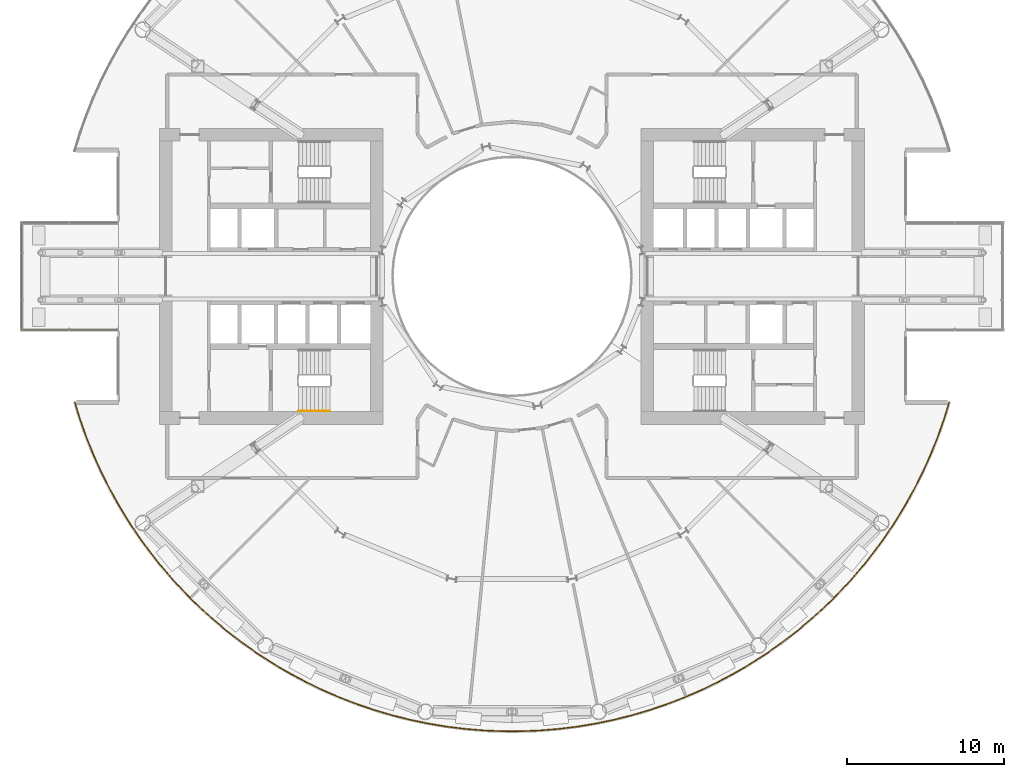
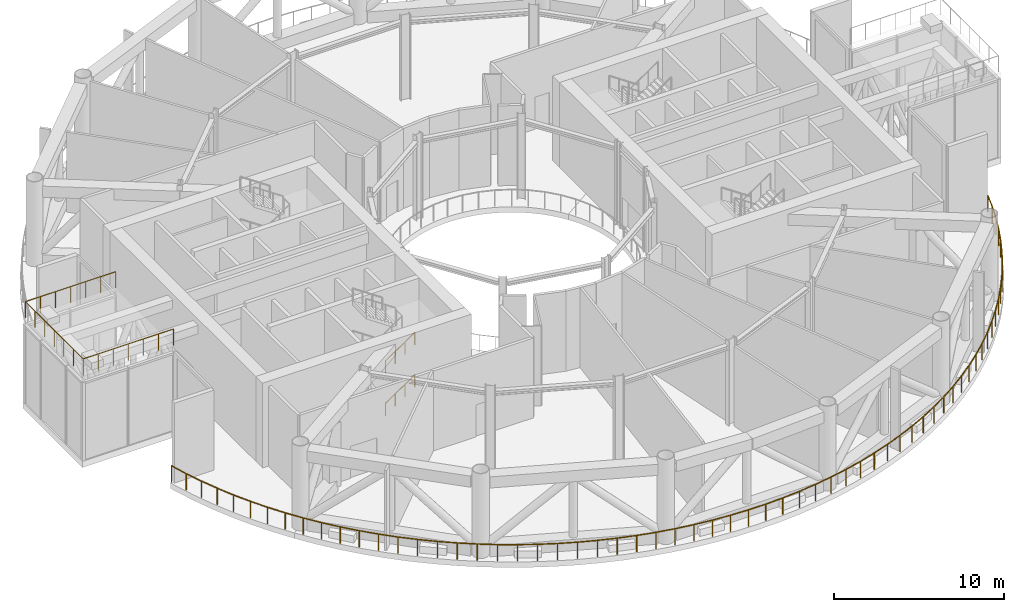
# One storey, part 18 of 22: 4 railings.
"""IFC4 building model written with IfcOpenShell, lengths in metres."""

from ifc_helpers import new_model, si_unit, direction, frame, origin, origin_2d, place, context, subcontext, project, spatial, circle, extrude, material, type_object, element, save


model = new_model("IFC4")

# Units and contexts
model_context = context("Model", 3, precision=1e-05, world=origin(), true_north=direction((0.0, 1.0)))
body_context = subcontext(model_context, "Body", "Model", "MODEL_VIEW")
ifc_project = project(units=[si_unit("LENGTHUNIT", "METRE"), si_unit("AREAUNIT", "SQUARE_METRE"), si_unit("VOLUMEUNIT", "CUBIC_METRE"), si_unit("PLANEANGLEUNIT", "RADIAN"), si_unit("MASSUNIT", "GRAM", prefix="KILO")], contexts=[model_context])

# Site, building, storey
site_placement = place(None, origin())
site = spatial("IfcSite", under=ifc_project, at=site_placement, CompositionType="ELEMENT")
building_placement = place(site_placement, origin())
building = spatial("IfcBuilding", under=site, at=building_placement, Name="Maasbend Ring Residences", CompositionType="ELEMENT")
storey_placement = place(building_placement, frame((0.0, 0.0, 57.5)))
storey = spatial("IfcBuildingStorey", under=building, at=storey_placement, Name="L16", CompositionType="ELEMENT", Elevation=57.5)

# Railings
ifc_material_1 = material(Name="Stainless steel 316 and glass", Category="steel")
railing_type_1 = type_object("IfcRailingType", Name="RL-GUARD", PredefinedType="GUARDRAIL", material=ifc_material_1)
railing_1_placement = place(storey_placement, frame((-27.778564453125, -7.972412109375, 0.0)))
element("IfcRailing", 1, at=railing_1_placement, inside=storey, type_object=railing_type_1, Name="Garden guard outer 2", PredefinedType="GUARDRAIL", context=body_context, shape_type="SweptSolid", body=[
    extrude(circle(Radius=0.02490234375, at=origin_2d()), frame((0.0, 0.0, 1.1748046875), z_axis=(0.295504624123, -0.95534130923, 0.0), x_axis=(0.95534130923, 0.295504624123, 0.0)), (0.0, 0.0, 1.0), 1.184814453125),
    extrude(circle(Radius=0.02490234375, at=origin_2d()), frame((0.35009765625, -1.1318359375, 1.1748046875), z_axis=(0.334285842511, -0.94247173724, 0.0), x_axis=(0.94247173724, 0.334285842511, 0.0)), (0.0, 0.0, 1.0), 1.1845703125),
    extrude(circle(Radius=0.02490234375, at=origin_2d()), frame((0.74609375, -2.248291015625, 1.1748046875), z_axis=(0.372847180885, -0.927892763042, 0.0), x_axis=(0.927892763042, 0.372847180885, 0.0)), (0.0, 0.0, 1.0), 1.1845703125),
    extrude(circle(Radius=0.02490234375, at=origin_2d()), frame((1.187744140625, -3.347412109375, 1.1748046875), z_axis=(0.410493199792, -0.911863659175, 0.0), x_axis=(0.911863659175, 0.410493199792, 0.0)), (0.0, 0.0, 1.0), 1.184814453125),
    extrude(circle(Radius=0.02490234375, at=origin_2d()), frame((1.674072265625, -4.427734375, 1.1748046875), z_axis=(0.447460908245, -0.894303491882, 0.0), x_axis=(0.894303491882, 0.447460908245, 0.0)), (0.0, 0.0, 1.0), 1.1845703125),
    extrude(circle(Radius=0.02490234375, at=origin_2d()), frame((2.2041015625, -5.487060546875, 1.1748046875), z_axis=(0.483839805506, -0.875156581766, 0.0), x_axis=(0.875156581766, 0.483839805506, 0.0)), (0.0, 0.0, 1.0), 1.184814453125),
    extrude(circle(Radius=0.02490234375, at=origin_2d()), frame((2.77734375, -6.52392578125, 1.1748046875), z_axis=(0.51915559987, -0.854679743017, 0.0), x_axis=(0.854679743017, 0.51915559987, 0.0)), (0.0, 0.0, 1.0), 1.1845703125),
    extrude(circle(Radius=0.02490234375, at=origin_2d()), frame((3.392333984375, -7.536376953125, 1.1748046875), z_axis=(0.553796190877, -0.832652255729, 0.0), x_axis=(0.832652255729, 0.553796190877, 0.0)), (0.0, 0.0, 1.0), 1.1845703125),
    extrude(circle(Radius=0.02490234375, at=origin_2d()), frame((4.04833984375, -8.522705078125, 1.1748046875), z_axis=(0.58749759803, -0.809225909317, 0.0), x_axis=(0.809225909317, 0.58749759803, 0.0)), (0.0, 0.0, 1.0), 1.184814453125),
    extrude(circle(Radius=0.02490234375, at=origin_2d()), frame((4.744384765625, -9.4814453125, 1.1748046875), z_axis=(0.620185444157, -0.78445523445, 0.0), x_axis=(0.78445523445, 0.620185444157, 0.0)), (0.0, 0.0, 1.0), 1.1845703125),
    extrude(circle(Radius=0.02490234375, at=origin_2d()), frame((5.47900390625, -10.41064453125, 1.1748046875), z_axis=(0.65182600946, -0.758368547206, 0.0), x_axis=(0.758368547206, 0.65182600946, 0.0)), (0.0, 0.0, 1.0), 1.184814453125),
    extrude(circle(Radius=0.02490234375, at=origin_2d()), frame((6.251220703125, -11.30908203125, 1.1748046875), z_axis=(0.682156690758, -0.731206023809, 0.0), x_axis=(0.731206023809, 0.682156690758, 0.0)), (0.0, 0.0, 1.0), 1.1845703125),
    extrude(circle(Radius=0.02490234375, at=origin_2d()), frame((7.059326171875, -12.17529296875, 1.1748046875), z_axis=(0.711830937603, -0.702350849841, 0.0), x_axis=(0.702350849841, 0.711830937603, 0.0)), (0.0, 0.0, 1.0), 1.1845703125),
    extrude(circle(Radius=0.02490234375, at=origin_2d()), frame((7.902587890625, -13.00732421875, 1.1748046875), z_axis=(0.739800189204, -0.672826634471, 0.0), x_axis=(0.672826634471, 0.739800189204, 0.0)), (0.0, 0.0, 1.0), 1.184814453125),
    extrude(circle(Radius=0.02490234375, at=origin_2d()), frame((8.779052734375, -13.804443359375, 1.1748046875), z_axis=(0.766885051085, -0.641784479731, 0.0), x_axis=(0.641784479731, 0.766885051085, 0.0)), (0.0, 0.0, 1.0), 1.1845703125),
    extrude(circle(Radius=0.02490234375, at=origin_2d()), frame((9.6875, -14.564697265625, 1.1748046875), z_axis=(0.792493715501, -0.609880079107, 0.0), x_axis=(0.609880079107, 0.792493715501, 0.0)), (0.0, 0.0, 1.0), 1.1845703125),
    extrude(circle(Radius=0.02490234375, at=origin_2d()), frame((10.626220703125, -15.287109375, 1.1748046875), z_axis=(0.816785089041, -0.576942040695, 0.0), x_axis=(0.576942040695, 0.816785089041, 0.0)), (0.0, 0.0, 1.0), 1.184814453125),
    extrude(circle(Radius=0.02490234375, at=origin_2d()), frame((11.593994140625, -15.970703125, 1.1748046875), z_axis=(0.839829939632, -0.542849585519, 0.0), x_axis=(0.542849585519, 0.839829939632, 0.0)), (0.0, 0.0, 1.0), 1.1845703125),
    extrude(circle(Radius=0.02490234375, at=origin_2d()), frame((12.5888671875, -16.61376953125, 1.1748046875), z_axis=(0.861324276781, -0.508055597575, 0.0), x_axis=(0.508055597575, 0.861324276781, 0.0)), (0.0, 0.0, 1.0), 1.1845703125),
    extrude(circle(Radius=0.02490234375, at=origin_2d()), frame((13.609130859375, -17.215576171875, 1.1748046875), z_axis=(0.881415624836, -0.472341503887, 0.0), x_axis=(0.472341503887, 0.881415624836, 0.0)), (0.0, 0.0, 1.0), 1.1845703125),
    extrude(circle(Radius=0.02490234375, at=origin_2d()), frame((14.6533203125, -17.775146484375, 1.1748046875), z_axis=(0.900002799964, -0.435884113104, 0.0), x_axis=(0.435884113104, 0.900002799964, 0.0)), (0.0, 0.0, 1.0), 1.1845703125),
    extrude(circle(Radius=0.02490234375, at=origin_2d()), frame((15.719482421875, -18.29150390625, 1.1748046875), z_axis=(0.917129024526, -0.398590456951, 0.0), x_axis=(0.398590456951, 0.917129024526, 0.0)), (0.0, 0.0, 1.0), 1.1845703125),
    extrude(circle(Radius=0.02490234375, at=origin_2d()), frame((16.805908203125, -18.763671875, 1.1748046875), z_axis=(0.932706782024, -0.360635631582, 0.0), x_axis=(0.360635631582, 0.932706782024, 0.0)), (0.0, 0.0, 1.0), 1.184814453125),
    extrude(circle(Radius=0.02490234375, at=origin_2d()), frame((17.910888671875, -19.19091796875, 1.1748046875), z_axis=(0.946770232419, -0.321910122559, 0.0), x_axis=(0.321910122559, 0.946770232419, 0.0)), (0.0, 0.0, 1.0), 1.1845703125),
    extrude(circle(Radius=0.02490234375, at=origin_2d()), frame((19.032470703125, -19.572265625, 1.1748046875), z_axis=(0.959076230705, -0.283147989039, 0.0), x_axis=(0.283147989039, 0.959076230705, 0.0)), (0.0, 0.0, 1.0), 1.184814453125),
    extrude(circle(Radius=0.02490234375, at=origin_2d()), frame((20.168701171875, -19.90771484375, 1.1748046875), z_axis=(0.969923880017, -0.243408436528, 0.0), x_axis=(0.243408436528, 0.969923880017, 0.0)), (0.0, 0.0, 1.0), 1.1845703125),
    extrude(circle(Radius=0.02490234375, at=origin_2d()), frame((21.317626953125, -20.196044921875, 1.1748046875), z_axis=(0.979054075839, -0.203600384536, 0.0), x_axis=(0.203600384536, 0.979054075839, 0.0)), (0.0, 0.0, 1.0), 1.184814453125),
    extrude(circle(Radius=0.02490234375, at=origin_2d()), frame((22.4775390625, -20.437255859375, 1.1748046875), z_axis=(0.986588187234, -0.163229129787, 0.0), x_axis=(0.163229129787, 0.986588187234, 0.0)), (0.0, 0.0, 1.0), 1.1845703125),
    extrude(circle(Radius=0.02490234375, at=origin_2d()), frame((23.646240234375, -20.630615234375, 1.1748046875), z_axis=(0.992454401235, -0.122614279222, 0.0), x_axis=(0.122614279222, 0.992454401235, 0.0)), (0.0, 0.0, 1.0), 1.184814453125),
    extrude(circle(Radius=0.02490234375, at=origin_2d()), frame((24.822021484375, -20.77587890625, 1.1748046875), z_axis=(0.996630509683, -0.082022113907, 0.0), x_axis=(0.082022113907, 0.996630509683, 0.0)), (0.0, 0.0, 1.0), 1.1845703125),
    extrude(circle(Radius=0.02490234375, at=origin_2d()), frame((26.002685546875, -20.873046875, 1.1748046875), z_axis=(0.999158599932, -0.041013317118, 0.0), x_axis=(0.041013317118, 0.999158599932, 0.0)), (0.0, 0.0, 1.0), 1.1845703125),
    extrude(circle(Radius=0.02490234375, at=origin_2d()), frame((27.186279296875, -20.921630859375, 1.1748046875), z_axis=(1.0, 0.0, 0.0), x_axis=(0.0, 1.0, 0.0)), (0.0, 0.0, 1.0), 1.1845703125),
    extrude(circle(Radius=0.02490234375, at=origin_2d()), frame((28.370849609375, -20.921630859375, 1.1748046875), z_axis=(0.999158599932, 0.041013317118, 0.0), x_axis=(-0.041013317118, 0.999158599932, 0.0)), (0.0, 0.0, 1.0), 1.1845703125),
    extrude(circle(Radius=0.02490234375, at=origin_2d()), frame((29.554443359375, -20.873046875, 1.1748046875), z_axis=(0.996630509683, 0.082022113907, 0.0), x_axis=(-0.082022113907, 0.996630509683, 0.0)), (0.0, 0.0, 1.0), 1.1845703125),
    extrude(circle(Radius=0.02490234375, at=origin_2d()), frame((30.735107421875, -20.77587890625, 1.1748046875), z_axis=(0.992454401235, 0.122614279222, 0.0), x_axis=(-0.122614279222, 0.992454401235, 0.0)), (0.0, 0.0, 1.0), 1.184814453125),
    extrude(circle(Radius=0.02490234375, at=origin_2d()), frame((31.910888671875, -20.630615234375, 1.1748046875), z_axis=(0.986588187234, 0.163229129787, 0.0), x_axis=(-0.163229129787, 0.986588187234, 0.0)), (0.0, 0.0, 1.0), 1.1845703125),
    extrude(circle(Radius=0.02490234375, at=origin_2d()), frame((33.07958984375, -20.437255859375, 1.1748046875), z_axis=(0.979054075839, 0.203600384536, 0.0), x_axis=(-0.203600384536, 0.979054075839, 0.0)), (0.0, 0.0, 1.0), 1.184814453125),
    extrude(circle(Radius=0.02490234375, at=origin_2d()), frame((34.239501953125, -20.196044921875, 1.1748046875), z_axis=(0.969923880017, 0.243408436528, 0.0), x_axis=(-0.243408436528, 0.969923880017, 0.0)), (0.0, 0.0, 1.0), 1.1845703125),
    extrude(circle(Radius=0.02490234375, at=origin_2d()), frame((35.388427734375, -19.90771484375, 1.1748046875), z_axis=(0.959076230705, 0.283147989039, 0.0), x_axis=(-0.283147989039, 0.959076230705, 0.0)), (0.0, 0.0, 1.0), 1.184814453125),
    extrude(circle(Radius=0.02490234375, at=origin_2d()), frame((36.524658203125, -19.572265625, 1.1748046875), z_axis=(0.946770232419, 0.321910122559, 0.0), x_axis=(-0.321910122559, 0.946770232419, 0.0)), (0.0, 0.0, 1.0), 1.1845703125),
    extrude(circle(Radius=0.02490234375, at=origin_2d()), frame((37.646240234375, -19.19091796875, 1.1748046875), z_axis=(0.932706782024, 0.360635631582, 0.0), x_axis=(-0.360635631582, 0.932706782024, 0.0)), (0.0, 0.0, 1.0), 1.184814453125),
    extrude(circle(Radius=0.02490234375, at=origin_2d()), frame((38.751220703125, -18.763671875, 1.1748046875), z_axis=(0.917129024526, 0.398590456951, 0.0), x_axis=(-0.398590456951, 0.917129024526, 0.0)), (0.0, 0.0, 1.0), 1.1845703125),
    extrude(circle(Radius=0.02490234375, at=origin_2d()), frame((39.837646484375, -18.29150390625, 1.1748046875), z_axis=(0.900002799964, 0.435884113104, 0.0), x_axis=(-0.435884113104, 0.900002799964, 0.0)), (0.0, 0.0, 1.0), 1.1845703125),
    extrude(circle(Radius=0.02490234375, at=origin_2d()), frame((40.90380859375, -17.775146484375, 1.1748046875), z_axis=(0.881415624836, 0.472341503887, 0.0), x_axis=(-0.472341503887, 0.881415624836, 0.0)), (0.0, 0.0, 1.0), 1.1845703125),
    extrude(circle(Radius=0.02490234375, at=origin_2d()), frame((41.947998046875, -17.215576171875, 1.1748046875), z_axis=(0.861324276781, 0.508055597575, 0.0), x_axis=(-0.508055597575, 0.861324276781, 0.0)), (0.0, 0.0, 1.0), 1.1845703125),
    extrude(circle(Radius=0.02490234375, at=origin_2d()), frame((42.96826171875, -16.61376953125, 1.1748046875), z_axis=(0.839829939632, 0.542849585519, 0.0), x_axis=(-0.542849585519, 0.839829939632, 0.0)), (0.0, 0.0, 1.0), 1.1845703125),
    extrude(circle(Radius=0.02490234375, at=origin_2d()), frame((43.963134765625, -15.970703125, 1.1748046875), z_axis=(0.816785089041, 0.576942040695, 0.0), x_axis=(-0.576942040695, 0.816785089041, 0.0)), (0.0, 0.0, 1.0), 1.184814453125),
    extrude(circle(Radius=0.02490234375, at=origin_2d()), frame((44.930908203125, -15.287109375, 1.1748046875), z_axis=(0.792493715501, 0.609880079107, 0.0), x_axis=(-0.609880079107, 0.792493715501, 0.0)), (0.0, 0.0, 1.0), 1.1845703125),
    extrude(circle(Radius=0.02490234375, at=origin_2d()), frame((45.86962890625, -14.564697265625, 1.1748046875), z_axis=(0.766885051085, 0.641784479731, 0.0), x_axis=(-0.641784479731, 0.766885051085, 0.0)), (0.0, 0.0, 1.0), 1.1845703125),
    extrude(circle(Radius=0.02490234375, at=origin_2d()), frame((46.778076171875, -13.804443359375, 1.1748046875), z_axis=(0.739800189204, 0.672826634471, 0.0), x_axis=(-0.672826634471, 0.739800189204, 0.0)), (0.0, 0.0, 1.0), 1.184814453125),
    extrude(circle(Radius=0.02490234375, at=origin_2d()), frame((47.654541015625, -13.00732421875, 1.1748046875), z_axis=(0.711830937603, 0.702350849841, 0.0), x_axis=(-0.702350849841, 0.711830937603, 0.0)), (0.0, 0.0, 1.0), 1.1845703125),
    extrude(circle(Radius=0.02490234375, at=origin_2d()), frame((48.497802734375, -12.17529296875, 1.1748046875), z_axis=(0.682156690758, 0.731206023809, 0.0), x_axis=(-0.731206023809, 0.682156690758, 0.0)), (0.0, 0.0, 1.0), 1.1845703125),
    extrude(circle(Radius=0.02490234375, at=origin_2d()), frame((49.305908203125, -11.30908203125, 1.1748046875), z_axis=(0.65182600946, 0.758368547206, 0.0), x_axis=(-0.758368547206, 0.65182600946, 0.0)), (0.0, 0.0, 1.0), 1.184814453125),
    extrude(circle(Radius=0.02490234375, at=origin_2d()), frame((50.078125, -10.41064453125, 1.1748046875), z_axis=(0.620185444157, 0.78445523445, 0.0), x_axis=(-0.78445523445, 0.620185444157, 0.0)), (0.0, 0.0, 1.0), 1.1845703125),
    extrude(circle(Radius=0.02490234375, at=origin_2d()), frame((50.812744140625, -9.4814453125, 1.1748046875), z_axis=(0.58749759803, 0.809225909317, 0.0), x_axis=(-0.809225909317, 0.58749759803, 0.0)), (0.0, 0.0, 1.0), 1.184814453125),
    extrude(circle(Radius=0.02490234375, at=origin_2d()), frame((51.5087890625, -8.522705078125, 1.1748046875), z_axis=(0.553796190877, 0.832652255729, 0.0), x_axis=(-0.832652255729, 0.553796190877, 0.0)), (0.0, 0.0, 1.0), 1.1845703125),
    extrude(circle(Radius=0.02490234375, at=origin_2d()), frame((52.164794921875, -7.536376953125, 1.1748046875), z_axis=(0.51915559987, 0.854679743017, 0.0), x_axis=(-0.854679743017, 0.51915559987, 0.0)), (0.0, 0.0, 1.0), 1.1845703125),
    extrude(circle(Radius=0.02490234375, at=origin_2d()), frame((52.77978515625, -6.52392578125, 1.1748046875), z_axis=(0.483839805506, 0.875156581766, 0.0), x_axis=(-0.875156581766, 0.483839805506, 0.0)), (0.0, 0.0, 1.0), 1.184814453125),
    extrude(circle(Radius=0.02490234375, at=origin_2d()), frame((53.35302734375, -5.487060546875, 1.1748046875), z_axis=(0.447460908245, 0.894303491882, 0.0), x_axis=(-0.894303491882, 0.447460908245, 0.0)), (0.0, 0.0, 1.0), 1.1845703125),
    extrude(circle(Radius=0.02490234375, at=origin_2d()), frame((53.883056640625, -4.427734375, 1.1748046875), z_axis=(0.410493199792, 0.911863659175, 0.0), x_axis=(-0.911863659175, 0.410493199792, 0.0)), (0.0, 0.0, 1.0), 1.184814453125),
    extrude(circle(Radius=0.02490234375, at=origin_2d()), frame((54.369384765625, -3.347412109375, 1.1748046875), z_axis=(0.372847180885, 0.927892763042, 0.0), x_axis=(-0.927892763042, 0.372847180885, 0.0)), (0.0, 0.0, 1.0), 1.1845703125),
    extrude(circle(Radius=0.02490234375, at=origin_2d()), frame((54.81103515625, -2.248291015625, 1.1748046875), z_axis=(0.334285842511, 0.94247173724, 0.0), x_axis=(-0.94247173724, 0.334285842511, 0.0)), (0.0, 0.0, 1.0), 1.1845703125),
    extrude(circle(Radius=0.02490234375, at=origin_2d()), frame((55.20703125, -1.1318359375, 1.1748046875), z_axis=(0.295504624123, 0.95534130923, 0.0), x_axis=(-0.95534130923, 0.295504624123, 0.0)), (0.0, 0.0, 1.0), 1.184814453125),
    extrude(circle(Radius=0.02001953125, at=origin_2d()), origin(), (0.0, 0.0, 1.0), 1.14990234375),
    extrude(circle(Radius=0.02001953125, at=origin_2d()), frame((0.35009765625, -1.1318359375, 0.0)), (0.0, 0.0, 1.0), 1.14990234375),
    extrude(circle(Radius=0.02001953125, at=origin_2d()), frame((0.74609375, -2.248291015625, 0.0)), (0.0, 0.0, 1.0), 1.14990234375),
    extrude(circle(Radius=0.02001953125, at=origin_2d()), frame((1.187744140625, -3.347412109375, 0.0)), (0.0, 0.0, 1.0), 1.14990234375),
    extrude(circle(Radius=0.02001953125, at=origin_2d()), frame((1.674072265625, -4.427734375, 0.0)), (0.0, 0.0, 1.0), 1.14990234375),
    extrude(circle(Radius=0.02001953125, at=origin_2d()), frame((2.2041015625, -5.487060546875, 0.0)), (0.0, 0.0, 1.0), 1.14990234375),
    extrude(circle(Radius=0.02001953125, at=origin_2d()), frame((2.77734375, -6.52392578125, 0.0)), (0.0, 0.0, 1.0), 1.14990234375),
    extrude(circle(Radius=0.02001953125, at=origin_2d()), frame((3.392333984375, -7.536376953125, 0.0)), (0.0, 0.0, 1.0), 1.14990234375),
    extrude(circle(Radius=0.02001953125, at=origin_2d()), frame((4.04833984375, -8.522705078125, 0.0)), (0.0, 0.0, 1.0), 1.14990234375),
    extrude(circle(Radius=0.02001953125, at=origin_2d()), frame((4.744384765625, -9.4814453125, 0.0)), (0.0, 0.0, 1.0), 1.14990234375),
    extrude(circle(Radius=0.02001953125, at=origin_2d()), frame((5.47900390625, -10.41064453125, 0.0)), (0.0, 0.0, 1.0), 1.14990234375),
    extrude(circle(Radius=0.02001953125, at=origin_2d()), frame((6.251220703125, -11.30908203125, 0.0)), (0.0, 0.0, 1.0), 1.14990234375),
    extrude(circle(Radius=0.02001953125, at=origin_2d()), frame((7.059326171875, -12.17529296875, 0.0)), (0.0, 0.0, 1.0), 1.14990234375),
    extrude(circle(Radius=0.02001953125, at=origin_2d()), frame((7.902587890625, -13.00732421875, 0.0)), (0.0, 0.0, 1.0), 1.14990234375),
    extrude(circle(Radius=0.02001953125, at=origin_2d()), frame((8.779052734375, -13.804443359375, 0.0)), (0.0, 0.0, 1.0), 1.14990234375),
    extrude(circle(Radius=0.02001953125, at=origin_2d()), frame((9.6875, -14.564697265625, 0.0)), (0.0, 0.0, 1.0), 1.14990234375),
    extrude(circle(Radius=0.02001953125, at=origin_2d()), frame((10.626220703125, -15.287109375, 0.0)), (0.0, 0.0, 1.0), 1.14990234375),
    extrude(circle(Radius=0.02001953125, at=origin_2d()), frame((11.593994140625, -15.970703125, 0.0)), (0.0, 0.0, 1.0), 1.14990234375),
    extrude(circle(Radius=0.02001953125, at=origin_2d()), frame((12.5888671875, -16.61376953125, 0.0)), (0.0, 0.0, 1.0), 1.14990234375),
    extrude(circle(Radius=0.02001953125, at=origin_2d()), frame((13.609130859375, -17.215576171875, 0.0)), (0.0, 0.0, 1.0), 1.14990234375),
    extrude(circle(Radius=0.02001953125, at=origin_2d()), frame((14.6533203125, -17.775146484375, 0.0)), (0.0, 0.0, 1.0), 1.14990234375),
    extrude(circle(Radius=0.02001953125, at=origin_2d()), frame((15.719482421875, -18.29150390625, 0.0)), (0.0, 0.0, 1.0), 1.14990234375),
    extrude(circle(Radius=0.02001953125, at=origin_2d()), frame((16.805908203125, -18.763671875, 0.0)), (0.0, 0.0, 1.0), 1.14990234375),
    extrude(circle(Radius=0.02001953125, at=origin_2d()), frame((17.910888671875, -19.19091796875, 0.0)), (0.0, 0.0, 1.0), 1.14990234375),
    extrude(circle(Radius=0.02001953125, at=origin_2d()), frame((19.032470703125, -19.572265625, 0.0)), (0.0, 0.0, 1.0), 1.14990234375),
    extrude(circle(Radius=0.02001953125, at=origin_2d()), frame((20.168701171875, -19.90771484375, 0.0)), (0.0, 0.0, 1.0), 1.14990234375),
    extrude(circle(Radius=0.02001953125, at=origin_2d()), frame((21.317626953125, -20.196044921875, 0.0)), (0.0, 0.0, 1.0), 1.14990234375),
    extrude(circle(Radius=0.02001953125, at=origin_2d()), frame((22.4775390625, -20.437255859375, 0.0)), (0.0, 0.0, 1.0), 1.14990234375),
    extrude(circle(Radius=0.02001953125, at=origin_2d()), frame((23.646240234375, -20.630615234375, 0.0)), (0.0, 0.0, 1.0), 1.14990234375),
    extrude(circle(Radius=0.02001953125, at=origin_2d()), frame((24.822021484375, -20.77587890625, 0.0)), (0.0, 0.0, 1.0), 1.14990234375),
    extrude(circle(Radius=0.02001953125, at=origin_2d()), frame((26.002685546875, -20.873046875, 0.0)), (0.0, 0.0, 1.0), 1.14990234375),
    extrude(circle(Radius=0.02001953125, at=origin_2d()), frame((27.186279296875, -20.921630859375, 0.0)), (0.0, 0.0, 1.0), 1.14990234375),
    extrude(circle(Radius=0.02001953125, at=origin_2d()), frame((28.370849609375, -20.921630859375, 0.0)), (0.0, 0.0, 1.0), 1.14990234375),
    extrude(circle(Radius=0.02001953125, at=origin_2d()), frame((29.554443359375, -20.873046875, 0.0)), (0.0, 0.0, 1.0), 1.14990234375),
    extrude(circle(Radius=0.02001953125, at=origin_2d()), frame((30.735107421875, -20.77587890625, 0.0)), (0.0, 0.0, 1.0), 1.14990234375),
    extrude(circle(Radius=0.02001953125, at=origin_2d()), frame((31.910888671875, -20.630615234375, 0.0)), (0.0, 0.0, 1.0), 1.14990234375),
    extrude(circle(Radius=0.02001953125, at=origin_2d()), frame((33.07958984375, -20.437255859375, 0.0)), (0.0, 0.0, 1.0), 1.14990234375),
    extrude(circle(Radius=0.02001953125, at=origin_2d()), frame((34.239501953125, -20.196044921875, 0.0)), (0.0, 0.0, 1.0), 1.14990234375),
    extrude(circle(Radius=0.02001953125, at=origin_2d()), frame((35.388427734375, -19.90771484375, 0.0)), (0.0, 0.0, 1.0), 1.14990234375),
    extrude(circle(Radius=0.02001953125, at=origin_2d()), frame((36.524658203125, -19.572265625, 0.0)), (0.0, 0.0, 1.0), 1.14990234375),
    extrude(circle(Radius=0.02001953125, at=origin_2d()), frame((37.646240234375, -19.19091796875, 0.0)), (0.0, 0.0, 1.0), 1.14990234375),
    extrude(circle(Radius=0.02001953125, at=origin_2d()), frame((38.751220703125, -18.763671875, 0.0)), (0.0, 0.0, 1.0), 1.14990234375),
    extrude(circle(Radius=0.02001953125, at=origin_2d()), frame((39.837646484375, -18.29150390625, 0.0)), (0.0, 0.0, 1.0), 1.14990234375),
    extrude(circle(Radius=0.02001953125, at=origin_2d()), frame((40.90380859375, -17.775146484375, 0.0)), (0.0, 0.0, 1.0), 1.14990234375),
    extrude(circle(Radius=0.02001953125, at=origin_2d()), frame((41.947998046875, -17.215576171875, 0.0)), (0.0, 0.0, 1.0), 1.14990234375),
    extrude(circle(Radius=0.02001953125, at=origin_2d()), frame((42.96826171875, -16.61376953125, 0.0)), (0.0, 0.0, 1.0), 1.14990234375),
    extrude(circle(Radius=0.02001953125, at=origin_2d()), frame((43.963134765625, -15.970703125, 0.0)), (0.0, 0.0, 1.0), 1.14990234375),
    extrude(circle(Radius=0.02001953125, at=origin_2d()), frame((44.930908203125, -15.287109375, 0.0)), (0.0, 0.0, 1.0), 1.14990234375),
    extrude(circle(Radius=0.02001953125, at=origin_2d()), frame((45.86962890625, -14.564697265625, 0.0)), (0.0, 0.0, 1.0), 1.14990234375),
    extrude(circle(Radius=0.02001953125, at=origin_2d()), frame((46.778076171875, -13.804443359375, 0.0)), (0.0, 0.0, 1.0), 1.14990234375),
    extrude(circle(Radius=0.02001953125, at=origin_2d()), frame((47.654541015625, -13.00732421875, 0.0)), (0.0, 0.0, 1.0), 1.14990234375),
    extrude(circle(Radius=0.02001953125, at=origin_2d()), frame((48.497802734375, -12.17529296875, 0.0)), (0.0, 0.0, 1.0), 1.14990234375),
    extrude(circle(Radius=0.02001953125, at=origin_2d()), frame((49.305908203125, -11.30908203125, 0.0)), (0.0, 0.0, 1.0), 1.14990234375),
    extrude(circle(Radius=0.02001953125, at=origin_2d()), frame((50.078125, -10.41064453125, 0.0)), (0.0, 0.0, 1.0), 1.14990234375),
    extrude(circle(Radius=0.02001953125, at=origin_2d()), frame((50.812744140625, -9.4814453125, 0.0)), (0.0, 0.0, 1.0), 1.14990234375),
    extrude(circle(Radius=0.02001953125, at=origin_2d()), frame((51.5087890625, -8.522705078125, 0.0)), (0.0, 0.0, 1.0), 1.14990234375),
    extrude(circle(Radius=0.02001953125, at=origin_2d()), frame((52.164794921875, -7.536376953125, 0.0)), (0.0, 0.0, 1.0), 1.14990234375),
    extrude(circle(Radius=0.02001953125, at=origin_2d()), frame((52.77978515625, -6.52392578125, 0.0)), (0.0, 0.0, 1.0), 1.14990234375),
    extrude(circle(Radius=0.02001953125, at=origin_2d()), frame((53.35302734375, -5.487060546875, 0.0)), (0.0, 0.0, 1.0), 1.14990234375),
    extrude(circle(Radius=0.02001953125, at=origin_2d()), frame((53.883056640625, -4.427734375, 0.0)), (0.0, 0.0, 1.0), 1.14990234375),
    extrude(circle(Radius=0.02001953125, at=origin_2d()), frame((54.369384765625, -3.347412109375, 0.0)), (0.0, 0.0, 1.0), 1.14990234375),
    extrude(circle(Radius=0.02001953125, at=origin_2d()), frame((54.81103515625, -2.248291015625, 0.0)), (0.0, 0.0, 1.0), 1.14990234375),
    extrude(circle(Radius=0.02001953125, at=origin_2d()), frame((55.20703125, -1.1318359375, 0.0)), (0.0, 0.0, 1.0), 1.14990234375),
    extrude(circle(Radius=0.02001953125, at=origin_2d()), frame((55.55712890625, 0.0, 0.0)), (0.0, 0.0, 1.0), 1.14990234375),
])
railing_2_placement = place(storey_placement, frame((-25.0, -3.39990234375, 6.10009765625)))
element("IfcRailing", 2, at=railing_2_placement, inside=storey, type_object=railing_type_1, Name="Roof terrace guard", PredefinedType="GUARDRAIL", context=body_context, shape_type="SweptSolid", body=[
    extrude(circle(Radius=0.02490234375, at=origin_2d()), frame((0.0, 0.0, 1.1748046875), z_axis=(-1.0, 0.0, 0.0), x_axis=(0.0, -1.0, 0.0)), (0.0, 0.0, 1.0), 6.14990234375),
    extrude(circle(Radius=0.02490234375, at=origin_2d()), frame((-6.14990234375, 0.0, 1.1748046875), z_axis=(0.0, 1.0, 0.0), x_axis=(-1.0, 0.0, 0.0)), (0.0, 0.0, 1.0), 6.7998046875),
    extrude(circle(Radius=0.02490234375, at=origin_2d()), frame((-6.14990234375, 6.7998046875, 1.1748046875), z_axis=(1.0, 0.0, 0.0), x_axis=(0.0, 1.0, 0.0)), (0.0, 0.0, 1.0), 6.14990234375),
    extrude(circle(Radius=0.02001953125, at=origin_2d()), origin(), (0.0, 0.0, 1.0), 1.14990234375),
    extrude(circle(Radius=0.02001953125, at=origin_2d()), frame((-1.02490234375, 0.0, 0.0)), (0.0, 0.0, 1.0), 1.14990234375),
    extrude(circle(Radius=0.02001953125, at=origin_2d()), frame((-2.050048828125, 0.0, 0.0)), (0.0, 0.0, 1.0), 1.14990234375),
    extrude(circle(Radius=0.02001953125, at=origin_2d()), frame((-3.074951171875, 0.0, 0.0)), (0.0, 0.0, 1.0), 1.14990234375),
    extrude(circle(Radius=0.02001953125, at=origin_2d()), frame((-4.099853515625, 0.0, 0.0)), (0.0, 0.0, 1.0), 1.14990234375),
    extrude(circle(Radius=0.02001953125, at=origin_2d()), frame((-5.125, 0.0, 0.0)), (0.0, 0.0, 1.0), 1.14990234375),
    extrude(circle(Radius=0.02001953125, at=origin_2d()), frame((-6.14990234375, 0.0, 0.0)), (0.0, 0.0, 1.0), 1.14990234375),
    extrude(circle(Radius=0.02001953125, at=origin_2d()), frame((-6.14990234375, 1.13330078125, 0.0)), (0.0, 0.0, 1.0), 1.14990234375),
    extrude(circle(Radius=0.02001953125, at=origin_2d()), frame((-6.14990234375, 2.2666015625, 0.0)), (0.0, 0.0, 1.0), 1.14990234375),
    extrude(circle(Radius=0.02001953125, at=origin_2d()), frame((-6.14990234375, 3.39990234375, 0.0)), (0.0, 0.0, 1.0), 1.14990234375),
    extrude(circle(Radius=0.02001953125, at=origin_2d()), frame((-6.14990234375, 4.533203125, 0.0)), (0.0, 0.0, 1.0), 1.14990234375),
    extrude(circle(Radius=0.02001953125, at=origin_2d()), frame((-6.14990234375, 5.66650390625, 0.0)), (0.0, 0.0, 1.0), 1.14990234375),
    extrude(circle(Radius=0.02001953125, at=origin_2d()), frame((-6.14990234375, 6.7998046875, 0.0)), (0.0, 0.0, 1.0), 1.14990234375),
    extrude(circle(Radius=0.02001953125, at=origin_2d()), frame((-5.125, 6.7998046875, 0.0)), (0.0, 0.0, 1.0), 1.14990234375),
    extrude(circle(Radius=0.02001953125, at=origin_2d()), frame((-4.099853515625, 6.7998046875, 0.0)), (0.0, 0.0, 1.0), 1.14990234375),
    extrude(circle(Radius=0.02001953125, at=origin_2d()), frame((-3.074951171875, 6.7998046875, 0.0)), (0.0, 0.0, 1.0), 1.14990234375),
    extrude(circle(Radius=0.02001953125, at=origin_2d()), frame((-2.050048828125, 6.7998046875, 0.0)), (0.0, 0.0, 1.0), 1.14990234375),
    extrude(circle(Radius=0.02001953125, at=origin_2d()), frame((-1.02490234375, 6.7998046875, 0.0)), (0.0, 0.0, 1.0), 1.14990234375),
    extrude(circle(Radius=0.02001953125, at=origin_2d()), frame((0.0, 6.7998046875, 0.0)), (0.0, 0.0, 1.0), 1.14990234375),
])
ifc_material_2 = material(Name="Stainless steel 316", Category="steel")
railing_type_2 = type_object("IfcRailingType", Name="STAIR HANDRAIL 900", PredefinedType="HANDRAIL", material=ifc_material_2)
for number, where, name in (
    (3, (-13.550048828125, -8.550048828125, 0.16943359375), "L16 ST-W1 stair handrail 1"),
    (4, (-13.550048828125, -8.550048828125, 3.219482421875), "L16 ST-W1 stair handrail 3"),
):
    element("IfcRailing", number, at=place(storey_placement, frame(where)), inside=storey, type_object=railing_type_2, Name=name, PredefinedType="HANDRAIL", context=body_context, shape_type="SweptSolid", body=[
        extrude(circle(Radius=0.02392578125, at=origin_2d()), frame((0.0, 0.0, 0.8759765625), z_axis=(0.827797584762, 0.0, 0.561026878735), x_axis=(0.0, 1.0, 0.0)), (0.0, 0.0, 1.0), 2.416015625),
        extrude(circle(Radius=0.02099609375, at=origin_2d()), origin(), (0.0, 0.0, 1.0), 0.851806640625),
        extrude(circle(Radius=0.02099609375, at=origin_2d()), frame((0.666748046875, 0.0, 0.451904296875)), (0.0, 0.0, 1.0), 0.851806640625),
        extrude(circle(Radius=0.02099609375, at=origin_2d()), frame((1.333251953125, 0.0, 0.903564453125)), (0.0, 0.0, 1.0), 0.851806640625),
        extrude(circle(Radius=0.02099609375, at=origin_2d()), frame((2.0, 0.0, 1.35546875)), (0.0, 0.0, 1.0), 0.851806640625),
    ])

save(model, "model.ifc")
